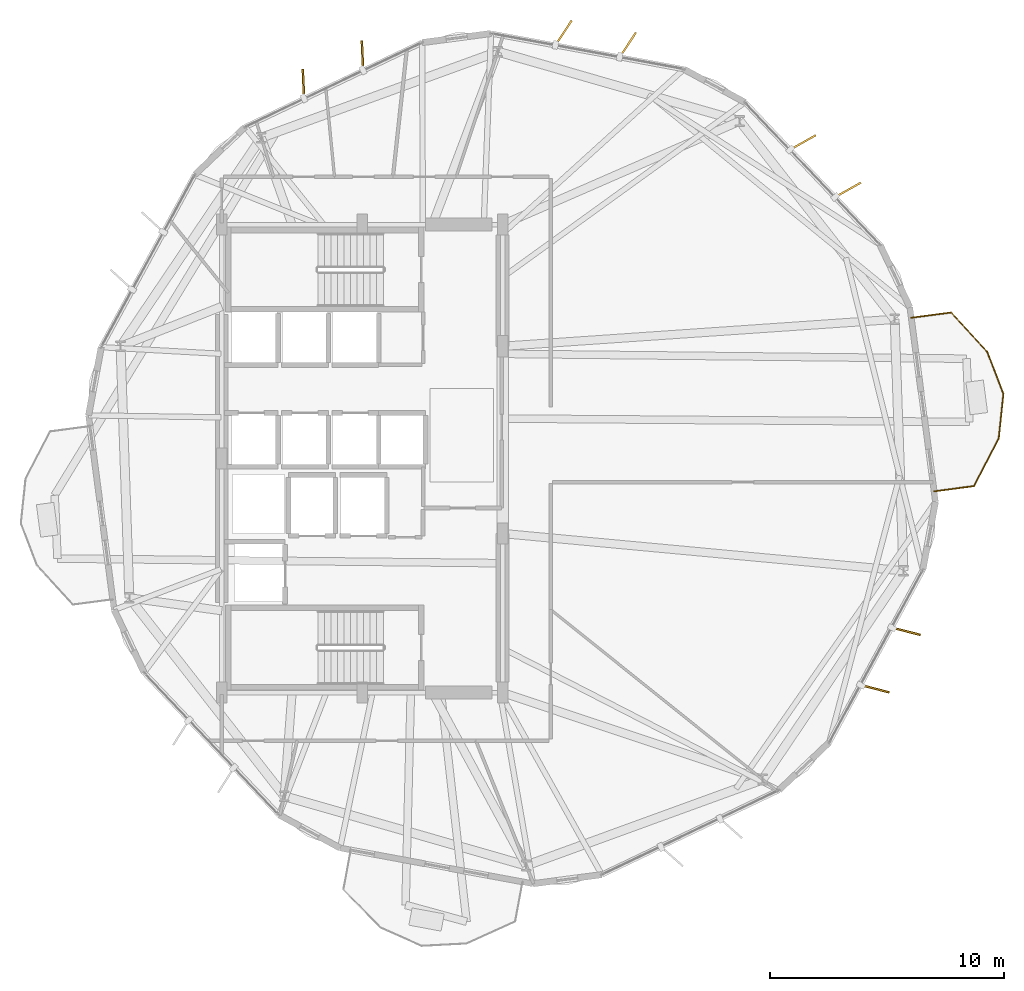
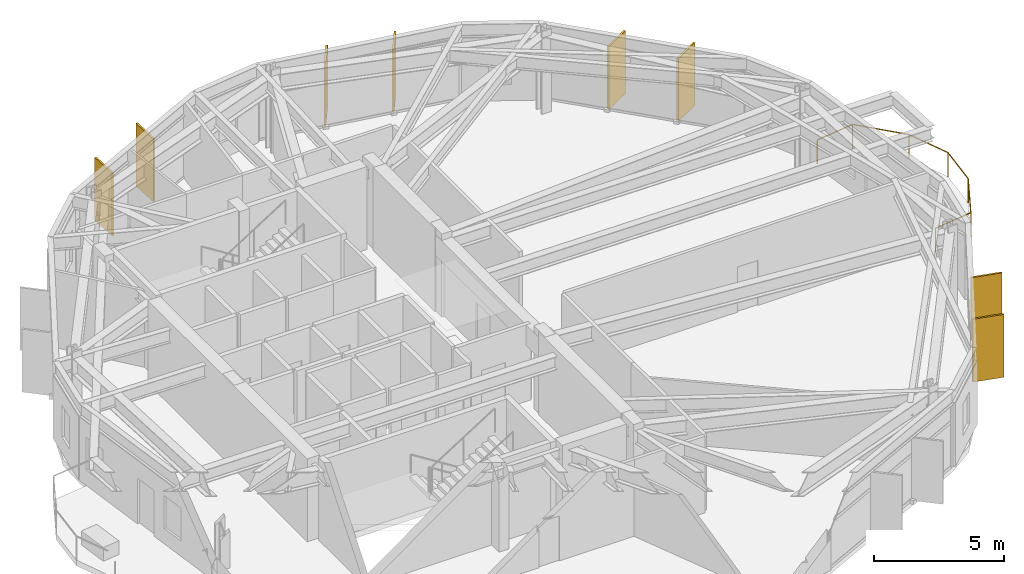
# One storey, part 25 of 25: 8 shading devices, 1 railing.
"""IFC4 building model written with IfcOpenShell, lengths in metres."""

from ifc_helpers import new_model, si_unit, direction, frame, origin, origin_2d, place, context, subcontext, project, spatial, rectangle, circle, extrude, material, layer, layer_set, type_object, element, save


model = new_model("IFC4")

# Units and contexts
model_context = context("Model", 3, precision=1e-05, world=origin(), true_north=direction((0.0, 1.0)))
body_context = subcontext(model_context, "Body", "Model", "MODEL_VIEW")
ifc_project = project(units=[si_unit("LENGTHUNIT", "METRE"), si_unit("AREAUNIT", "SQUARE_METRE"), si_unit("VOLUMEUNIT", "CUBIC_METRE"), si_unit("PLANEANGLEUNIT", "RADIAN"), si_unit("MASSUNIT", "GRAM", prefix="KILO")], contexts=[model_context])

# Site, building, storey
site_placement = place(None, origin())
site = spatial("IfcSite", under=ifc_project, at=site_placement, CompositionType="ELEMENT")
building_placement = place(site_placement, origin())
building = spatial("IfcBuilding", under=site, at=building_placement, Name="Soratama Intermodal Tower", CompositionType="ELEMENT")
storey_placement = place(building_placement, frame((0.0, 0.0, 126.39990234375)))
storey = spatial("IfcBuildingStorey", under=building, at=storey_placement, Name="L30", CompositionType="ELEMENT", Elevation=126.39990234375)

# Railing
ifc_material_1 = material(Name="Laminated glass and stainless steel balustrade", Category="steel")
railing_type = type_object("IfcRailingType", Name="RL-BAL-1150", PredefinedType="BALUSTRADE", material=ifc_material_1)
railing_placement = place(storey_placement, frame((62.06103515625, 31.020263671875, 0.0)))
element("IfcRailing", 1, at=railing_placement, inside=storey, type_object=railing_type, Name="L30 Balcony Balustrade 1", PredefinedType="BALUSTRADE", context=body_context, shape_type="SweptSolid", body=[
    extrude(circle(Radius=0.02392578125, at=origin_2d()), frame((0.0, 0.0, 1.1259765625), z_axis=(0.991455744842, 0.130443497424, 0.0), x_axis=(-0.130443497424, 0.991455744842, 0.0)), (0.0, 0.0, 1.0), 1.719970703125),
    extrude(circle(Radius=0.02392578125, at=origin_2d()), frame((1.705322265625, 0.224365234375, 1.1259765625), z_axis=(0.675826246465, -0.737060977525, 0.0), x_axis=(0.737060977525, 0.675826246465, 0.0)), (0.0, 0.0, 1.0), 2.284423828125),
    extrude(circle(Radius=0.02392578125, at=origin_2d()), frame((3.249267578125, -1.45947265625, 1.1259765625), z_axis=(0.358358249246, -0.933584150036, 0.0), x_axis=(0.933584150036, 0.358358249246, 0.0)), (0.0, 0.0, 1.0), 1.923828125),
    extrude(circle(Radius=0.02392578125, at=origin_2d()), frame((3.938720703125, -3.255615234375, 1.1259765625), z_axis=(-0.104552684844, -0.99451934928, 0.0), x_axis=(0.99451934928, -0.104552684844, 0.0)), (0.0, 0.0, 1.0), 1.924072265625),
    extrude(circle(Radius=0.02392578125, at=origin_2d()), frame((3.737548828125, -5.169189453125, 1.1259765625), z_axis=(-0.462028996278, -0.886864818672, 0.0), x_axis=(0.886864818672, -0.462028996278, 0.0)), (0.0, 0.0, 1.0), 2.284423828125),
    extrude(circle(Radius=0.02392578125, at=origin_2d()), frame((2.68212890625, -7.195068359375, 1.1259765625), z_axis=(-0.991437378323, -0.130583019049, 0.0), x_axis=(0.130583019049, -0.991437378323, 0.0)), (0.0, 0.0, 1.0), 1.719970703125),
    extrude(circle(Radius=0.02099609375, at=origin_2d()), origin(), (0.0, 0.0, 1.0), 1.101806640625),
    extrude(circle(Radius=0.02099609375, at=origin_2d()), frame((1.705322265625, 0.224365234375, 0.0)), (0.0, 0.0, 1.0), 1.101806640625),
    extrude(circle(Radius=0.02099609375, at=origin_2d()), frame((3.249267578125, -1.45947265625, 0.0)), (0.0, 0.0, 1.0), 1.101806640625),
    extrude(circle(Radius=0.02099609375, at=origin_2d()), frame((3.938720703125, -3.255615234375, 0.0)), (0.0, 0.0, 1.0), 1.101806640625),
    extrude(circle(Radius=0.02099609375, at=origin_2d()), frame((3.737548828125, -5.169189453125, 0.0)), (0.0, 0.0, 1.0), 1.101806640625),
    extrude(circle(Radius=0.02099609375, at=origin_2d()), frame((2.68212890625, -7.195068359375, 0.0)), (0.0, 0.0, 1.0), 1.101806640625),
    extrude(circle(Radius=0.02099609375, at=origin_2d()), frame((0.976806640625, -7.419677734375, 0.0)), (0.0, 0.0, 1.0), 1.101806640625),
])

# Shading devices
ifc_material_2 = material(Name="Champagne anodised aluminium solar fin", Category="aluminium")
ifc_layer = layer(ifc_material_2, 0.080078125)
ifc_layer_set = layer_set([ifc_layer], Name="Champagne anodised aluminium solar fin")
shading_device_type = type_object("IfcShadingDeviceType", Name="SH-FIN-1250", PredefinedType="USERDEFINED", material=ifc_layer_set)
for number, where, z_axis, x_axis, name in (
    (2, (59.363525390625, 36.487548828125, 0.02001953125), (0.0, 0.0, 1.0), (0.871299476719, 0.490751690644, 0.0), "L30 Solar Fin F01-1"),
    (3, (57.43994140625, 38.5146484375, 0.02001953125), (0.0, 0.0, 1.0), (0.871299476719, 0.490751690644, 0.0), "L30 Solar Fin F01-2"),
    (4, (49.9541015625, 42.688720703125, 0.02001953125), (0.0, 0.0, 1.0), (0.54946037043, 0.835519779135, 0.0), "L30 Solar Fin F02-1"),
    (5, (47.206298828125, 43.197998046875, 0.02001953125), (0.0, 0.0, 1.0), (0.54946037043, 0.835519779135, 0.0), "L30 Solar Fin F02-2"),
    (6, (38.610595703125, 42.222412109375, 0.02001953125), (0.0, 0.0, 1.0), (-0.046583426761, 0.998914402915, 0.0), "L30 Solar Fin F03-1"),
    (7, (36.08837890625, 41.019287109375, 0.02001953125), (0.0, 0.0, 1.0), (-0.046583426761, 0.998914402915, 0.0), "L30 Solar Fin F03-2"),
    (8, (60.513916015625, 15.165771484375, 0.02001953125), (0.0, 0.0, 1.0), (0.96862655095, -0.248520833726, 0.0), "L30 Solar Fin F09-1"),
    (9, (61.847412109375, 17.62158203125, 0.02001953125), (0.0, 0.0, 1.0), (0.96862655095, -0.248520833726, 0.0), "L30 Solar Fin F09-2"),
):
    element("IfcShadingDevice", number, at=place(storey_placement, frame(where, z_axis=z_axis, x_axis=x_axis)), inside=storey, type_object=shading_device_type, Name=name, ObjectType="FIN", PredefinedType="USERDEFINED", context=body_context, shape_type="SweptSolid", body=[
        extrude(rectangle(XDim=1.25, YDim=0.080078125, at=origin_2d()), origin(), (0.0, 0.0, 1.0), 2.958984375),
    ])

save(model, "model.ifc")
